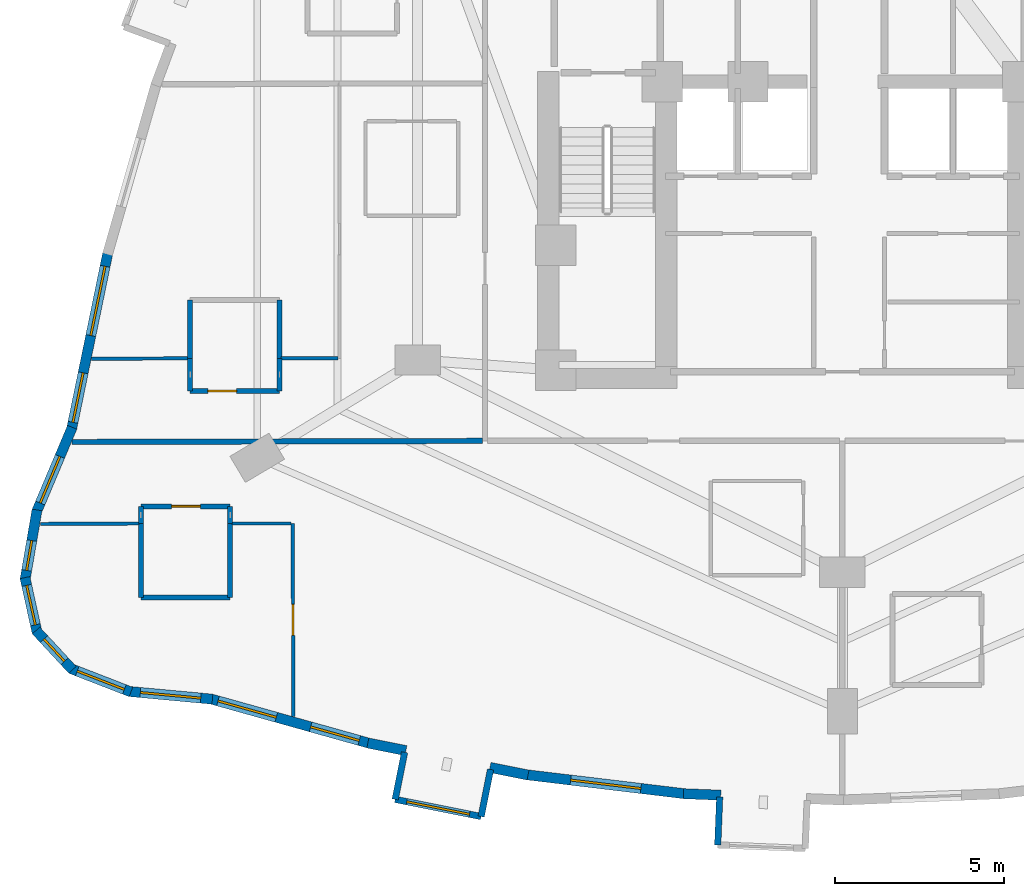
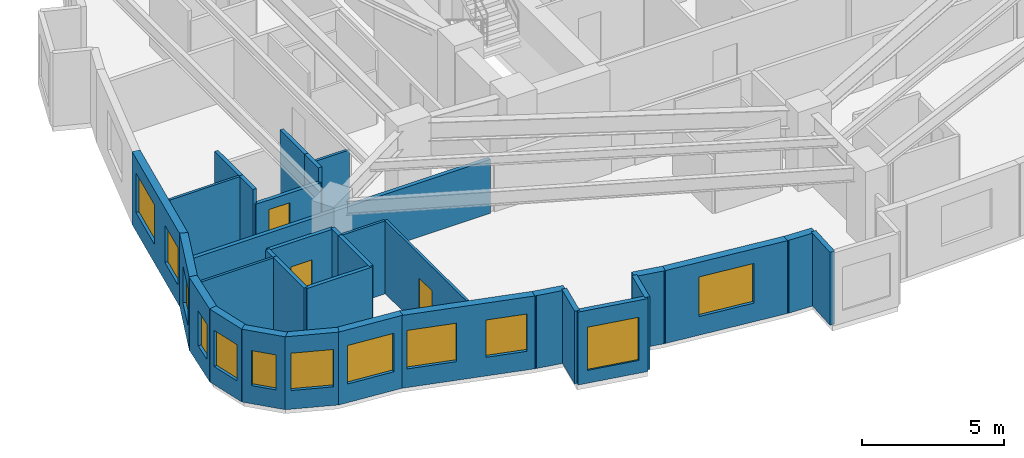
# One storey, part 6 of 13: 33 walls, 12 windows, 3 doors, 15 openings.
"""IFC4 building model written with IfcOpenShell, lengths in metres."""

from ifc_helpers import new_model, si_unit, direction, frame, frame_2d, origin, place, context, subcontext, project, spatial, rectangle, extrude, material, layer, layer_set, type_object, element, fill, save


model = new_model("IFC4")

# Units and contexts
model_context = context("Model", 3, precision=1e-05, world=origin(), true_north=direction((0.0, 1.0)))
body_context = subcontext(model_context, "Body", "Model", "MODEL_VIEW")
ifc_project = project(units=[si_unit("LENGTHUNIT", "METRE"), si_unit("AREAUNIT", "SQUARE_METRE"), si_unit("VOLUMEUNIT", "CUBIC_METRE"), si_unit("PLANEANGLEUNIT", "RADIAN"), si_unit("MASSUNIT", "GRAM", prefix="KILO")], contexts=[model_context])

# Site, building, storey
site_placement = place(None, origin())
site = spatial("IfcSite", under=ifc_project, at=site_placement, CompositionType="ELEMENT")
building_placement = place(site_placement, origin())
building = spatial("IfcBuilding", under=site, at=building_placement, Name="Miruveldt Soraemaru", CompositionType="ELEMENT")
storey_placement = place(building_placement, frame((0.0, 0.0, 73.39990234375)))
storey = spatial("IfcBuildingStorey", under=building, at=storey_placement, Name="L20", CompositionType="ELEMENT", Elevation=73.39990234375)

# Walls
ifc_material_1 = material(Name="White powder-coated aluminium EN AW-6060 T6", Category="aluminium")
ifc_layer_1 = layer(ifc_material_1, 0.18994140625, Name="White powder-coated aluminium EN AW-6060 T6", Category="aluminium")
ifc_layer_set_1 = layer_set([ifc_layer_1], Name="White powder-coated aluminium EN AW-6060 T6")
wall_type_1 = type_object("IfcWallType", Name="WALL-BAY-ALU190", PredefinedType="SOLIDWALL", material=ifc_layer_set_1)
for number, where, z_axis, x_axis, name in (
    (1, (31.0146484375, 24.165771484375, 0.0), (0.0, 0.0, 1.0), (-0.196149079112, -0.980574086321, 0.0), "L20 Bay Window Side Cheek 3L"),
    (2, (33.28466796875, 22.25830078125, 0.0), (0.0, 0.0, 1.0), (0.196149079112, 0.980574086321, 0.0), "L20 Bay Window Side Cheek 3R"),
):
    element("IfcWall", number, at=place(storey_placement, frame(where, z_axis=z_axis, x_axis=x_axis)), inside=storey, type_object=wall_type_1, Name=name, PredefinedType="SOLIDWALL", context=body_context, shape_type="SweptSolid", body=[
        extrude(rectangle(XDim=1.425048828125, YDim=0.18994140625, at=frame_2d((0.71240234375, 0.0))), origin(), (0.0, 0.0, 1.0), 3.125),
    ])

# Wall, opening, window
wall_1_placement = place(storey_placement, frame((30.735107421875, 22.768310546875, 0.0), z_axis=(0.0, 0.0, 1.0), x_axis=(0.980573452128, -0.196152249497, 0.0)))
wall_1 = element("IfcWall", 3, at=wall_1_placement, inside=storey, type_object=wall_type_1, Name="L20 Bay Window Front Frame 3", PredefinedType="SOLIDWALL", context=body_context, shape_type="SweptSolid", body=[
    extrude(rectangle(XDim=2.60009765625, YDim=0.18994140625, at=frame_2d((1.300048828125, 0.0))), origin(), (0.0, 0.0, 1.0), 3.125),
])
opening_1_placement = place(wall_1_placement, frame((0.35009765625, 0.0, 0.550048828125)))
opening_1 = element("IfcOpeningElement", 4, at=opening_1_placement, cuts=wall_1, Name="Opening WN-6", PredefinedType="OPENING", context=body_context, shape_type="SweptSolid", body=[
    extrude(rectangle(XDim=1.89990234375, YDim=1.85009765625, at=frame_2d((0.949951171875, 0.925048828125))), frame((0.0, 0.10498046875, 0.0), z_axis=(0.0, -1.0, 0.0), x_axis=(1.0, 0.0, 0.0)), (0.0, 0.0, 1.0), 0.2099609375),
])
ifc_material_2 = material(Name="Triple low-e insulated glazing", Category="glass")
window_type_1 = type_object("IfcWindowType", Name="WIN-BAYW-1900x1850", PartitioningType="SINGLE_PANEL", PredefinedType="WINDOW", material=ifc_material_2)
window_1_placement = place(opening_1_placement, origin())
window_1 = element("IfcWindow", 5, at=window_1_placement, inside=storey, type_object=window_type_1, Name="L20 Projecting Bay Window 3", OverallHeight=1.85009765625, OverallWidth=1.89990234375, PartitioningType="SINGLE_PANEL", PredefinedType="WINDOW", context=body_context, shape_type="SweptSolid", body=[
    extrude(rectangle(XDim=1.89990234375, YDim=1.85009765625, at=frame_2d((0.949951171875, 0.925048828125))), frame((0.0, 0.030029296875, 0.0), z_axis=(0.0, -1.0, 0.0), x_axis=(1.0, 0.0, 0.0)), (0.0, 0.0, 1.0), 0.06005859375),
])
fill(opening_1, window_1)

# Wall
wall_2_placement = place(storey_placement, frame((40.35888671875, 22.83837890625, 0.0), z_axis=(0.0, 0.0, 1.0), x_axis=(-0.039920142234, -0.999202873417, 0.0)))
element("IfcWall", 6, at=wall_2_placement, inside=storey, type_object=wall_type_1, Name="L20 Bay Window Side Cheek 4L", PredefinedType="SOLIDWALL", context=body_context, shape_type="SweptSolid", body=[
    extrude(rectangle(XDim=1.425048828125, YDim=0.18994140625, at=frame_2d((0.71240234375, 0.0))), origin(), (0.0, 0.0, 1.0), 3.125),
])

# Wall, openings, windows
ifc_material_3 = material(Name="Precast concrete C45/55 (45 MPa)", Category="concrete")
ifc_layer_2 = layer(ifc_material_3, 0.300048828125, Name="Precast concrete C45/55 (45 MPa)", Category="concrete")
ifc_layer_set_2 = layer_set([ifc_layer_2], Name="Precast concrete C45/55 (45 MPa)")
wall_type_2 = type_object("IfcWallType", Name="WALL-EXT-PC300", PredefinedType="SOLIDWALL", material=ifc_layer_set_2)
wall_3_placement = place(storey_placement, frame((22.2177734375, 39.000244140625, 0.0), z_axis=(0.0, 0.0, 1.0), x_axis=(-0.201547797841, -0.979478680312, 0.0)))
wall_3 = element("IfcWall", 7, at=wall_3_placement, inside=storey, type_object=wall_type_2, Name="L20 Precast Concrete Facade Wall 14", PredefinedType="SOLIDWALL", context=body_context, shape_type="SweptSolid", body=[
    extrude(rectangle(XDim=5.37353515625, YDim=0.300048828125, at=frame_2d((2.686767578125, 0.0))), origin(), (0.0, 0.0, 1.0), 3.125),
])
opening_2_placement = place(wall_3_placement, frame((0.429931640625, 0.0, 0.800048828125)))
opening_2 = element("IfcOpeningElement", 8, at=opening_2_placement, cuts=wall_3, Name="Opening WN-1", PredefinedType="OPENING", context=body_context, shape_type="SweptSolid", body=[
    extrude(rectangle(XDim=2.10009765625, YDim=1.699951171875, at=frame_2d((1.050048828125, 0.85009765625))), frame((0.0, 0.16015625, 0.0), z_axis=(0.0, -1.0, 0.0), x_axis=(1.0, 0.0, 0.0)), (0.0, 0.0, 1.0), 0.320068359375),
])
opening_3_placement = place(wall_3_placement, frame((3.656005859375, 0.0, 0.800048828125)))
opening_3 = element("IfcOpeningElement", 9, at=opening_3_placement, cuts=wall_3, Name="Opening WN-3", PredefinedType="OPENING", context=body_context, shape_type="SweptSolid", body=[
    extrude(rectangle(XDim=1.5, YDim=1.60009765625, at=frame_2d((0.75, 0.800048828125))), frame((0.0, 0.16015625, 0.0), z_axis=(0.0, -1.0, 0.0), x_axis=(1.0, 0.0, 0.0)), (0.0, 0.0, 1.0), 0.320068359375),
])
window_type_2 = type_object("IfcWindowType", Name="WIN-PUNCH-1500x1600", PartitioningType="SINGLE_PANEL", PredefinedType="WINDOW", material=ifc_material_2)
window_2_placement = place(opening_3_placement, origin())
window_2 = element("IfcWindow", 10, at=window_2_placement, inside=storey, type_object=window_type_2, Name="L20 Punched Triple-Glazed Window 14.2", OverallHeight=1.60009765625, OverallWidth=1.5, PartitioningType="SINGLE_PANEL", PredefinedType="WINDOW", context=body_context, shape_type="SweptSolid", body=[
    extrude(rectangle(XDim=1.5, YDim=1.60009765625, at=frame_2d((0.75, 0.800048828125))), frame((0.0, 0.030029296875, 0.0), z_axis=(0.0, -1.0, 0.0), x_axis=(1.0, 0.0, 0.0)), (0.0, 0.0, 1.0), 0.06005859375),
])
fill(opening_3, window_2)
window_type_3 = type_object("IfcWindowType", Name="WIN-PUNCH-2100x1700", PartitioningType="SINGLE_PANEL", PredefinedType="WINDOW", material=ifc_material_2)
window_3_placement = place(opening_2_placement, origin())
window_3 = element("IfcWindow", 11, at=window_3_placement, inside=storey, type_object=window_type_3, Name="L20 Punched Triple-Glazed Window 14.1", OverallHeight=1.699951171875, OverallWidth=2.10009765625, PartitioningType="SINGLE_PANEL", PredefinedType="WINDOW", context=body_context, shape_type="SweptSolid", body=[
    extrude(rectangle(XDim=2.10009765625, YDim=1.699951171875, at=frame_2d((1.050048828125, 0.85009765625))), frame((0.0, 0.030029296875, 0.0), z_axis=(0.0, -1.0, 0.0), x_axis=(1.0, 0.0, 0.0)), (0.0, 0.0, 1.0), 0.06005859375),
])
fill(opening_2, window_3)

# Wall, opening, window
wall_4_placement = place(storey_placement, frame((21.155517578125, 33.8037109375, 0.0), z_axis=(0.0, 0.0, 1.0), x_axis=(-0.388672061396, -0.921376160257, 0.0)))
wall_4 = element("IfcWall", 12, at=wall_4_placement, inside=storey, type_object=wall_type_2, Name="L20 Precast Concrete Facade Wall 15", PredefinedType="SOLIDWALL", context=body_context, shape_type="SweptSolid", body=[
    extrude(rectangle(XDim=2.732421875, YDim=0.300048828125, at=frame_2d((1.3662109375, 0.0))), origin(), (0.0, 0.0, 1.0), 3.125),
])
opening_4_placement = place(wall_4_placement, frame((0.93798828125, 0.0, 0.800048828125)))
opening_4 = element("IfcOpeningElement", 13, at=opening_4_placement, cuts=wall_4, Name="Opening WN-3", PredefinedType="OPENING", context=body_context, shape_type="SweptSolid", body=[
    extrude(rectangle(XDim=1.5, YDim=1.60009765625, at=frame_2d((0.75, 0.800048828125))), frame((0.0, 0.16015625, 0.0), z_axis=(0.0, -1.0, 0.0), x_axis=(1.0, 0.0, 0.0)), (0.0, 0.0, 1.0), 0.320068359375),
])
window_4_placement = place(opening_4_placement, origin())
window_4 = element("IfcWindow", 14, at=window_4_placement, inside=storey, type_object=window_type_2, Name="L20 Punched Triple-Glazed Window 15.1", OverallHeight=1.60009765625, OverallWidth=1.5, PartitioningType="SINGLE_PANEL", PredefinedType="WINDOW", context=body_context, shape_type="SweptSolid", body=[
    extrude(rectangle(XDim=1.5, YDim=1.60009765625, at=frame_2d((0.75, 0.800048828125))), frame((0.0, 0.030029296875, 0.0), z_axis=(0.0, -1.0, 0.0), x_axis=(1.0, 0.0, 0.0)), (0.0, 0.0, 1.0), 0.06005859375),
])
fill(opening_4, window_4)

wall_5_placement = place(storey_placement, frame((20.113037109375, 31.352783203125, 0.0), z_axis=(0.0, 0.0, 1.0), x_axis=(-0.169320859901, -0.98556098056, 0.0)))
wall_5 = element("IfcWall", 15, at=wall_5_placement, inside=storey, type_object=wall_type_2, Name="L20 Precast Concrete Facade Wall 16", PredefinedType="SOLIDWALL", context=body_context, shape_type="SweptSolid", body=[
    extrude(rectangle(XDim=2.106689453125, YDim=0.300048828125, at=frame_2d((1.05322265625, 0.0))), origin(), (0.0, 0.0, 1.0), 3.125),
])
opening_5_placement = place(wall_5_placement, frame((0.9208984375, 0.0, 0.780029296875)))
opening_5 = element("IfcOpeningElement", 16, at=opening_5_placement, cuts=wall_5, Name="Opening WN-7", PredefinedType="OPENING", context=body_context, shape_type="SweptSolid", body=[
    extrude(rectangle(XDim=0.89990234375, YDim=1.5, at=frame_2d((0.449951171875, 0.75))), frame((0.0, 0.16015625, 0.0), z_axis=(0.0, -1.0, 0.0), x_axis=(1.0, 0.0, 0.0)), (0.0, 0.0, 1.0), 0.320068359375),
])
window_type_4 = type_object("IfcWindowType", Name="WIN-PUNCH-900x1500", PartitioningType="SINGLE_PANEL", PredefinedType="WINDOW", material=ifc_material_2)
window_5_placement = place(opening_5_placement, origin())
window_5 = element("IfcWindow", 17, at=window_5_placement, inside=storey, type_object=window_type_4, Name="L20 Punched Triple-Glazed Window 16.1", OverallHeight=1.5, OverallWidth=0.89990234375, PartitioningType="SINGLE_PANEL", PredefinedType="WINDOW", context=body_context, shape_type="SweptSolid", body=[
    extrude(rectangle(XDim=0.89990234375, YDim=1.5, at=frame_2d((0.449951171875, 0.75))), frame((0.0, 0.030029296875, 0.0), z_axis=(0.0, -1.0, 0.0), x_axis=(1.0, 0.0, 0.0)), (0.0, 0.0, 1.0), 0.06005859375),
])
fill(opening_5, window_5)

wall_6_placement = place(storey_placement, frame((19.754638671875, 29.345458984375, 0.0), z_axis=(0.0, 0.0, 1.0), x_axis=(0.215768638569, -0.976444516913, 0.0)))
wall_6 = element("IfcWall", 18, at=wall_6_placement, inside=storey, type_object=wall_type_2, Name="L20 Precast Concrete Facade Wall 17", PredefinedType="SOLIDWALL", context=body_context, shape_type="SweptSolid", body=[
    extrude(rectangle(XDim=1.6689453125, YDim=0.300048828125, at=frame_2d((0.83447265625, 0.0))), origin(), (0.0, 0.0, 1.0), 3.125),
])
opening_6_placement = place(wall_6_placement, frame((0.235107421875, 0.0, 0.780029296875)))
opening_6 = element("IfcOpeningElement", 19, at=opening_6_placement, cuts=wall_6, Name="Opening WN-4", PredefinedType="OPENING", context=body_context, shape_type="SweptSolid", body=[
    extrude(rectangle(XDim=1.199951171875, YDim=1.550048828125, at=frame_2d((0.60009765625, 0.77490234375))), frame((0.0, 0.16015625, 0.0), z_axis=(0.0, -1.0, 0.0), x_axis=(1.0, 0.0, 0.0)), (0.0, 0.0, 1.0), 0.320068359375),
])
window_type_5 = type_object("IfcWindowType", Name="WIN-PUNCH-1200x1550", PartitioningType="SINGLE_PANEL", PredefinedType="WINDOW", material=ifc_material_2)
window_6_placement = place(opening_6_placement, origin())
window_6 = element("IfcWindow", 20, at=window_6_placement, inside=storey, type_object=window_type_5, Name="L20 Punched Triple-Glazed Window 17.1", OverallHeight=1.550048828125, OverallWidth=1.199951171875, PartitioningType="SINGLE_PANEL", PredefinedType="WINDOW", context=body_context, shape_type="SweptSolid", body=[
    extrude(rectangle(XDim=1.199951171875, YDim=1.550048828125, at=frame_2d((0.60009765625, 0.77490234375))), frame((0.0, 0.030029296875, 0.0), z_axis=(0.0, -1.0, 0.0), x_axis=(1.0, 0.0, 0.0)), (0.0, 0.0, 1.0), 0.06005859375),
])
fill(opening_6, window_6)

wall_7_placement = place(storey_placement, frame((20.083251953125, 27.77587890625, 0.0), z_axis=(0.0, 0.0, 1.0), x_axis=(0.680145025321, -0.733077584251, 0.0)))
wall_7 = element("IfcWall", 21, at=wall_7_placement, inside=storey, type_object=wall_type_2, Name="L20 Precast Concrete Facade Wall 18", PredefinedType="SOLIDWALL", context=body_context, shape_type="SweptSolid", body=[
    extrude(rectangle(XDim=1.59130859375, YDim=0.300048828125, at=frame_2d((0.795654296875, 0.0))), origin(), (0.0, 0.0, 1.0), 3.125),
])
opening_7_placement = place(wall_7_placement, frame((0.344970703125, 0.0, 0.780029296875)))
opening_7 = element("IfcOpeningElement", 22, at=opening_7_placement, cuts=wall_7, Name="Opening WN-7", PredefinedType="OPENING", context=body_context, shape_type="SweptSolid", body=[
    extrude(rectangle(XDim=0.89990234375, YDim=1.5, at=frame_2d((0.449951171875, 0.75))), frame((0.0, 0.16015625, 0.0), z_axis=(0.0, -1.0, 0.0), x_axis=(1.0, 0.0, 0.0)), (0.0, 0.0, 1.0), 0.320068359375),
])
window_7_placement = place(opening_7_placement, origin())
window_7 = element("IfcWindow", 23, at=window_7_placement, inside=storey, type_object=window_type_4, Name="L20 Punched Triple-Glazed Window 18.1", OverallHeight=1.5, OverallWidth=0.89990234375, PartitioningType="SINGLE_PANEL", PredefinedType="WINDOW", context=body_context, shape_type="SweptSolid", body=[
    extrude(rectangle(XDim=0.89990234375, YDim=1.5, at=frame_2d((0.449951171875, 0.75))), frame((0.0, 0.030029296875, 0.0), z_axis=(0.0, -1.0, 0.0), x_axis=(1.0, 0.0, 0.0)), (0.0, 0.0, 1.0), 0.06005859375),
])
fill(opening_7, window_7)

wall_8_placement = place(storey_placement, frame((21.109130859375, 26.647705078125, 0.0), z_axis=(0.0, 0.0, 1.0), x_axis=(0.93228604446, -0.361721897741, 0.0)))
wall_8 = element("IfcWall", 24, at=wall_8_placement, inside=storey, type_object=wall_type_2, Name="L20 Precast Concrete Facade Wall 19", PredefinedType="SOLIDWALL", context=body_context, shape_type="SweptSolid", body=[
    extrude(rectangle(XDim=1.91943359375, YDim=0.300048828125, at=frame_2d((0.959716796875, 0.0))), origin(), (0.0, 0.0, 1.0), 3.125),
])
opening_8_placement = place(wall_8_placement, frame((0.2099609375, 0.0, 0.800048828125)))
opening_8 = element("IfcOpeningElement", 25, at=opening_8_placement, cuts=wall_8, Name="Opening WN-3", PredefinedType="OPENING", context=body_context, shape_type="SweptSolid", body=[
    extrude(rectangle(XDim=1.5, YDim=1.60009765625, at=frame_2d((0.75, 0.800048828125))), frame((0.0, 0.16015625, 0.0), z_axis=(0.0, -1.0, 0.0), x_axis=(1.0, 0.0, 0.0)), (0.0, 0.0, 1.0), 0.320068359375),
])
window_8_placement = place(opening_8_placement, origin())
window_8 = element("IfcWindow", 26, at=window_8_placement, inside=storey, type_object=window_type_2, Name="L20 Punched Triple-Glazed Window 19.1", OverallHeight=1.60009765625, OverallWidth=1.5, PartitioningType="SINGLE_PANEL", PredefinedType="WINDOW", context=body_context, shape_type="SweptSolid", body=[
    extrude(rectangle(XDim=1.5, YDim=1.60009765625, at=frame_2d((0.75, 0.800048828125))), frame((0.0, 0.030029296875, 0.0), z_axis=(0.0, -1.0, 0.0), x_axis=(1.0, 0.0, 0.0)), (0.0, 0.0, 1.0), 0.06005859375),
])
fill(opening_8, window_8)

wall_9_placement = place(storey_placement, frame((22.831298828125, 25.96923828125, 0.0), z_axis=(0.0, 0.0, 1.0), x_axis=(0.995758957766, -0.09200053276, 0.0)))
wall_9 = element("IfcWall", 27, at=wall_9_placement, inside=storey, type_object=wall_type_2, Name="L20 Precast Concrete Facade Wall 20", PredefinedType="SOLIDWALL", context=body_context, shape_type="SweptSolid", body=[
    extrude(rectangle(XDim=2.494384765625, YDim=0.300048828125, at=frame_2d((1.2470703125, 0.0))), origin(), (0.0, 0.0, 1.0), 3.125),
])
opening_9_placement = place(wall_9_placement, frame((0.347900390625, 0.0, 0.800048828125)))
opening_9 = element("IfcOpeningElement", 28, at=opening_9_placement, cuts=wall_9, Name="Opening WN-2", PredefinedType="OPENING", context=body_context, shape_type="SweptSolid", body=[
    extrude(rectangle(XDim=1.800048828125, YDim=1.64990234375, at=frame_2d((0.89990234375, 0.824951171875))), frame((0.0, 0.16015625, 0.0), z_axis=(0.0, -1.0, 0.0), x_axis=(1.0, 0.0, 0.0)), (0.0, 0.0, 1.0), 0.320068359375),
])
window_type_6 = type_object("IfcWindowType", Name="WIN-PUNCH-1800x1650", PartitioningType="SINGLE_PANEL", PredefinedType="WINDOW", material=ifc_material_2)
window_9_placement = place(opening_9_placement, origin())
window_9 = element("IfcWindow", 29, at=window_9_placement, inside=storey, type_object=window_type_6, Name="L20 Punched Triple-Glazed Window 20.1", OverallHeight=1.64990234375, OverallWidth=1.800048828125, PartitioningType="SINGLE_PANEL", PredefinedType="WINDOW", context=body_context, shape_type="SweptSolid", body=[
    extrude(rectangle(XDim=1.800048828125, YDim=1.64990234375, at=frame_2d((0.89990234375, 0.824951171875))), frame((0.0, 0.030029296875, 0.0), z_axis=(0.0, -1.0, 0.0), x_axis=(1.0, 0.0, 0.0)), (0.0, 0.0, 1.0), 0.06005859375),
])
fill(opening_9, window_9)

# Wall, openings, windows
wall_10_placement = place(storey_placement, frame((25.24658203125, 25.75244140625, 0.0), z_axis=(0.0, 0.0, 1.0), x_axis=(0.962958876285, -0.269648294234, 0.0)))
wall_10 = element("IfcWall", 30, at=wall_10_placement, inside=storey, type_object=wall_type_2, Name="L20 Precast Concrete Facade Wall 21", PredefinedType="SOLIDWALL", context=body_context, shape_type="SweptSolid", body=[
    extrude(rectangle(XDim=4.929931640625, YDim=0.300048828125, at=frame_2d((2.46484375, 0.0))), origin(), (0.0, 0.0, 1.0), 3.125),
])
opening_10_placement = place(wall_10_placement, frame((0.239990234375, 0.0, 0.800048828125)))
opening_10 = element("IfcOpeningElement", 31, at=opening_10_placement, cuts=wall_10, Name="Opening WN-2", PredefinedType="OPENING", context=body_context, shape_type="SweptSolid", body=[
    extrude(rectangle(XDim=1.800048828125, YDim=1.64990234375, at=frame_2d((0.89990234375, 0.824951171875))), frame((0.0, 0.16015625, 0.0), z_axis=(0.0, -1.0, 0.0), x_axis=(1.0, 0.0, 0.0)), (0.0, 0.0, 1.0), 0.320068359375),
])
opening_11_placement = place(wall_10_placement, frame((3.094970703125, 0.0, 0.800048828125)))
opening_11 = element("IfcOpeningElement", 32, at=opening_11_placement, cuts=wall_10, Name="Opening WN-3", PredefinedType="OPENING", context=body_context, shape_type="SweptSolid", body=[
    extrude(rectangle(XDim=1.5, YDim=1.60009765625, at=frame_2d((0.75, 0.800048828125))), frame((0.0, 0.16015625, 0.0), z_axis=(0.0, -1.0, 0.0), x_axis=(1.0, 0.0, 0.0)), (0.0, 0.0, 1.0), 0.320068359375),
])
window_10_placement = place(opening_11_placement, origin())
window_10 = element("IfcWindow", 33, at=window_10_placement, inside=storey, type_object=window_type_2, Name="L20 Punched Triple-Glazed Window 21.2", OverallHeight=1.60009765625, OverallWidth=1.5, PartitioningType="SINGLE_PANEL", PredefinedType="WINDOW", context=body_context, shape_type="SweptSolid", body=[
    extrude(rectangle(XDim=1.5, YDim=1.60009765625, at=frame_2d((0.75, 0.800048828125))), frame((0.0, 0.030029296875, 0.0), z_axis=(0.0, -1.0, 0.0), x_axis=(1.0, 0.0, 0.0)), (0.0, 0.0, 1.0), 0.06005859375),
])
fill(opening_11, window_10)
window_11_placement = place(opening_10_placement, origin())
window_11 = element("IfcWindow", 34, at=window_11_placement, inside=storey, type_object=window_type_6, Name="L20 Punched Triple-Glazed Window 21.1", OverallHeight=1.64990234375, OverallWidth=1.800048828125, PartitioningType="SINGLE_PANEL", PredefinedType="WINDOW", context=body_context, shape_type="SweptSolid", body=[
    extrude(rectangle(XDim=1.800048828125, YDim=1.64990234375, at=frame_2d((0.89990234375, 0.824951171875))), frame((0.0, 0.030029296875, 0.0), z_axis=(0.0, -1.0, 0.0), x_axis=(1.0, 0.0, 0.0)), (0.0, 0.0, 1.0), 0.06005859375),
])
fill(opening_10, window_11)

# Walls
for number, where, z_axis, x_axis, name in (
    (35, (29.926025390625, 24.439453125, 0.0), (0.0, 0.0, 1.0), (0.98057251863, -0.196156916032, 0.0), "L20 Precast Pier Wall 22A"),
    (36, (33.545654296875, 23.715576171875, 0.0), (0.0, 0.0, 1.0), (0.98057251863, -0.196156916032, 0.0), "L20 Precast Pier Wall 22B"),
):
    element("IfcWall", number, at=place(storey_placement, frame(where, z_axis=z_axis, x_axis=x_axis)), inside=storey, type_object=wall_type_2, Name=name, PredefinedType="SOLIDWALL", context=body_context, shape_type="SweptSolid", body=[
        extrude(rectangle(XDim=1.1513671875, YDim=0.300048828125, at=frame_2d((0.57568359375, 0.0))), origin(), (0.0, 0.0, 1.0), 3.125),
    ])

# Wall, opening, window
wall_11_placement = place(storey_placement, frame((34.60546875, 23.500732421875, 0.0), z_axis=(0.0, 0.0, 1.0), x_axis=(0.992879736211, -0.119121070439, 0.0)))
wall_11 = element("IfcWall", 37, at=wall_11_placement, inside=storey, type_object=wall_type_2, Name="L20 Precast Concrete Facade Wall 23", PredefinedType="SOLIDWALL", context=body_context, shape_type="SweptSolid", body=[
    extrude(rectangle(XDim=4.78369140625, YDim=0.300048828125, at=frame_2d((2.391845703125, 0.0))), origin(), (0.0, 0.0, 1.0), 3.125),
])
opening_12_placement = place(wall_11_placement, frame((1.342041015625, 0.0, 0.800048828125)))
opening_12 = element("IfcOpeningElement", 38, at=opening_12_placement, cuts=wall_11, Name="Opening WN-1", PredefinedType="OPENING", context=body_context, shape_type="SweptSolid", body=[
    extrude(rectangle(XDim=2.10009765625, YDim=1.699951171875, at=frame_2d((1.050048828125, 0.85009765625))), frame((0.0, 0.16015625, 0.0), z_axis=(0.0, -1.0, 0.0), x_axis=(1.0, 0.0, 0.0)), (0.0, 0.0, 1.0), 0.320068359375),
])
window_12_placement = place(opening_12_placement, origin())
window_12 = element("IfcWindow", 39, at=window_12_placement, inside=storey, type_object=window_type_3, Name="L20 Punched Triple-Glazed Window 23.1", OverallHeight=1.699951171875, OverallWidth=2.10009765625, PartitioningType="SINGLE_PANEL", PredefinedType="WINDOW", context=body_context, shape_type="SweptSolid", body=[
    extrude(rectangle(XDim=2.10009765625, YDim=1.699951171875, at=frame_2d((1.050048828125, 0.85009765625))), frame((0.0, 0.030029296875, 0.0), z_axis=(0.0, -1.0, 0.0), x_axis=(1.0, 0.0, 0.0)), (0.0, 0.0, 1.0), 0.06005859375),
])
fill(opening_12, window_12)

# Wall
wall_12_placement = place(storey_placement, frame((39.28515625, 22.936279296875, 0.0), z_axis=(0.0, 0.0, 1.0), x_axis=(0.999202719529, -0.039923993871, 0.0)))
element("IfcWall", 40, at=wall_12_placement, inside=storey, type_object=wall_type_2, Name="L20 Precast Pier Wall 24A", PredefinedType="SOLIDWALL", context=body_context, shape_type="SweptSolid", body=[
    extrude(rectangle(XDim=1.10693359375, YDim=0.300048828125, at=frame_2d((0.553466796875, 0.0))), origin(), (0.0, 0.0, 1.0), 3.125),
])

# Wall, opening, door
ifc_material_4 = material(Name="Gypsum plasterboard lining", Category="gypsum")
ifc_layer_3 = layer(ifc_material_4, 0.10009765625, Name="Gypsum plasterboard lining", Category="gypsum")
ifc_layer_set_3 = layer_set([ifc_layer_3], Name="Gypsum plasterboard lining")
wall_type_3 = type_object("IfcWallType", Name="WALL-INT-P100", PredefinedType="PARTITIONING", material=ifc_layer_set_3)
wall_13_placement = place(storey_placement, frame((27.694091796875, 30.949951171875, 0.0), z_axis=(0.0, 0.0, 1.0), x_axis=(0.004013459841, -0.999991946038, 0.0)))
wall_13 = element("IfcWall", 41, at=wall_13_placement, inside=storey, type_object=wall_type_3, Name="L20 Partition Wall 91", PredefinedType="PARTITIONING", context=body_context, shape_type="SweptSolid", body=[
    extrude(rectangle(XDim=5.718017578125, YDim=0.10009765625, at=frame_2d((2.85888671875, 0.0))), origin(), (0.0, 0.0, 1.0), 3.125),
])
opening_13_placement = place(wall_13_placement, frame((2.39892578125, 0.0, 0.0)))
opening_13 = element("IfcOpeningElement", 42, at=opening_13_placement, cuts=wall_13, Name="Opening D3A", PredefinedType="OPENING", context=body_context, shape_type="SweptSolid", body=[
    extrude(rectangle(XDim=0.919921875, YDim=2.10009765625, at=frame_2d((0.4599609375, 1.050048828125))), frame((0.0, 0.06005859375, 0.0), z_axis=(0.0, -1.0, 0.0), x_axis=(1.0, 0.0, 0.0)), (0.0, 0.0, 1.0), 0.1201171875),
])
ifc_material_5 = material(Name="Anodised aluminium EN AW-6063 T6", Category="aluminium")
door_type_1 = type_object("IfcDoorType", Name="DOOR-INT-920", OperationType="NOTDEFINED", PredefinedType="DOOR", material=ifc_material_5)
door_1_placement = place(opening_13_placement, origin())
door_1 = element("IfcDoor", 43, at=door_1_placement, inside=storey, type_object=door_type_1, Name="L20 Unit 2007 BD1 Door", OperationType="SINGLE_SWING_LEFT", OverallHeight=2.10009765625, OverallWidth=0.919921875, PredefinedType="DOOR", context=body_context, shape_type="SweptSolid", body=[
    extrude(rectangle(XDim=0.919921875, YDim=2.10009765625, at=frame_2d((0.4599609375, 1.050048828125))), frame((0.0, 0.02490234375, 0.0), z_axis=(0.0, -1.0, 0.0), x_axis=(1.0, 0.0, 0.0)), (0.0, 0.0, 1.0), 0.050048828125),
])
fill(opening_13, door_1)

# Walls
wall_14_placement = place(storey_placement, frame((20.208984375, 30.93603515625, 0.0), z_axis=(0.0, 0.0, 1.0), x_axis=(0.999988745217, 0.004744411393, 0.0)))
element("IfcWall", 44, at=wall_14_placement, inside=storey, type_object=wall_type_3, Name="L20 Partition Wall 89", PredefinedType="PARTITIONING", context=body_context, shape_type="SweptSolid", body=[
    extrude(rectangle(XDim=2.93310546875, YDim=0.10009765625, at=frame_2d((1.466552734375, 0.0))), origin(), (0.0, 0.0, 1.0), 3.125),
])
wall_15_placement = place(storey_placement, frame((24.60498046875, 35.85009765625, 0.0), z_axis=(0.0, 0.0, 1.0), x_axis=(-0.999982285051, -0.005952275506, 0.0)))
element("IfcWall", 45, at=wall_15_placement, inside=storey, type_object=wall_type_3, Name="L20 Partition Wall 50", PredefinedType="PARTITIONING", context=body_context, shape_type="SweptSolid", body=[
    extrude(rectangle(XDim=2.87109375, YDim=0.10009765625, at=frame_2d((1.435546875, 0.0))), origin(), (0.0, 0.0, 1.0), 3.125),
])
wall_16_placement = place(storey_placement, frame((25.89208984375, 30.949951171875, 0.0), z_axis=(0.0, 0.0, 1.0), x_axis=(1.0, 0.0, 0.0)))
element("IfcWall", 46, at=wall_16_placement, inside=storey, type_object=wall_type_3, Name="L20 Partition Wall 90", PredefinedType="PARTITIONING", context=body_context, shape_type="SweptSolid", body=[
    extrude(rectangle(XDim=1.751953125, YDim=0.10009765625, at=frame_2d((0.8759765625, 0.0))), origin(), (0.0, 0.0, 1.0), 3.125),
])
wall_17_placement = place(storey_placement, frame((29.034912109375, 35.85009765625, 0.0), z_axis=(0.0, 0.0, 1.0), x_axis=(-1.0, 0.0, 0.0)))
element("IfcWall", 47, at=wall_17_placement, inside=storey, type_object=wall_type_3, Name="L20 Partition Wall 49", PredefinedType="PARTITIONING", context=body_context, shape_type="SweptSolid", body=[
    extrude(rectangle(XDim=1.679931640625, YDim=0.10009765625, at=frame_2d((0.83984375, 0.0))), origin(), (0.0, 0.0, 1.0), 2.713134765625),
])

# Wall, opening, door
ifc_layer_4 = layer(ifc_material_4, 0.14990234375, Name="Gypsum plasterboard lining", Category="gypsum")
ifc_layer_set_4 = layer_set([ifc_layer_4], Name="Gypsum plasterboard lining")
wall_type_4 = type_object("IfcWallType", Name="WALL-INT-PLUMB", PredefinedType="PLUMBINGWALL", material=ifc_layer_set_4)
wall_18_placement = place(storey_placement, frame((24.655029296875, 34.8798828125, 0.0), z_axis=(0.0, 0.0, 1.0), x_axis=(1.0, 0.0, 0.0)))
wall_18 = element("IfcWall", 48, at=wall_18_placement, inside=storey, type_object=wall_type_4, Name="L20 Partition Wall 43", PredefinedType="PLUMBINGWALL", context=body_context, shape_type="SweptSolid", body=[
    extrude(rectangle(XDim=2.64990234375, YDim=0.14990234375, at=frame_2d((1.324951171875, 0.0))), origin(), (0.0, 0.0, 1.0), 2.51318359375),
])
opening_14_placement = place(wall_18_placement, frame((0.52490234375, 0.0, 0.0)))
opening_14 = element("IfcOpeningElement", 49, at=opening_14_placement, cuts=wall_18, Name="Opening FD3", PredefinedType="OPENING", context=body_context, shape_type="SweptSolid", body=[
    extrude(rectangle(XDim=0.85009765625, YDim=2.10009765625, at=frame_2d((0.425048828125, 1.050048828125))), frame((0.0, 0.0849609375, 0.0), z_axis=(0.0, -1.0, 0.0), x_axis=(1.0, 0.0, 0.0)), (0.0, 0.0, 1.0), 0.169921875),
])
door_type_2 = type_object("IfcDoorType", Name="DOOR-FD3-850", OperationType="NOTDEFINED", PredefinedType="DOOR", material=ifc_material_5)
door_2_placement = place(opening_14_placement, origin())
door_2 = element("IfcDoor", 50, at=door_2_placement, inside=storey, type_object=door_type_2, Name="L20 Unit 2003 BTH Door", OperationType="SINGLE_SWING_RIGHT", OverallHeight=2.10009765625, OverallWidth=0.85009765625, PredefinedType="DOOR", context=body_context, shape_type="SweptSolid", body=[
    extrude(rectangle(XDim=0.85009765625, YDim=2.10009765625, at=frame_2d((0.425048828125, 1.050048828125))), frame((0.0, 0.02490234375, 0.0), z_axis=(0.0, -1.0, 0.0), x_axis=(1.0, 0.0, 0.0)), (0.0, 0.0, 1.0), 0.050048828125),
])
fill(opening_14, door_2)

wall_19_placement = place(storey_placement, frame((25.842041015625, 31.4599609375, 0.0), z_axis=(0.0, 0.0, 1.0), x_axis=(-1.0, 0.0, 0.0)))
wall_19 = element("IfcWall", 51, at=wall_19_placement, inside=storey, type_object=wall_type_4, Name="L20 Partition Wall 83", PredefinedType="PLUMBINGWALL", context=body_context, shape_type="SweptSolid", body=[
    extrude(rectangle(XDim=2.650146484375, YDim=0.14990234375, at=frame_2d((1.3251953125, 0.0))), origin(), (0.0, 0.0, 1.0), 3.125),
])
opening_15_placement = place(wall_19_placement, frame((0.885009765625, 0.0, 0.0)))
opening_15 = element("IfcOpeningElement", 52, at=opening_15_placement, cuts=wall_19, Name="Opening FD3", PredefinedType="OPENING", context=body_context, shape_type="SweptSolid", body=[
    extrude(rectangle(XDim=0.85009765625, YDim=2.10009765625, at=frame_2d((0.425048828125, 1.050048828125))), frame((0.0, 0.0849609375, 0.0), z_axis=(0.0, -1.0, 0.0), x_axis=(1.0, 0.0, 0.0)), (0.0, 0.0, 1.0), 0.169921875),
])
door_3_placement = place(opening_15_placement, origin())
door_3 = element("IfcDoor", 53, at=door_3_placement, inside=storey, type_object=door_type_2, Name="L20 Unit 2007 BTH Door", OperationType="SINGLE_SWING_LEFT", OverallHeight=2.10009765625, OverallWidth=0.85009765625, PredefinedType="DOOR", context=body_context, shape_type="SweptSolid", body=[
    extrude(rectangle(XDim=0.85009765625, YDim=2.10009765625, at=frame_2d((0.425048828125, 1.050048828125))), frame((0.0, 0.02490234375, 0.0), z_axis=(0.0, -1.0, 0.0), x_axis=(1.0, 0.0, 0.0)), (0.0, 0.0, 1.0), 0.050048828125),
])
fill(opening_15, door_3)

# Walls
wall_20_placement = place(storey_placement, frame((23.19189453125, 28.760009765625, 0.0), z_axis=(0.0, 0.0, 1.0), x_axis=(1.0, 0.0, 0.0)))
element("IfcWall", 54, at=wall_20_placement, inside=storey, type_object=wall_type_4, Name="L20 Partition Wall 94", PredefinedType="PLUMBINGWALL", context=body_context, shape_type="SweptSolid", body=[
    extrude(rectangle(XDim=2.650146484375, YDim=0.14990234375, at=frame_2d((1.3251953125, 0.0))), origin(), (0.0, 0.0, 1.0), 3.125),
])
for number, where, z_axis, x_axis, name in (
    (55, (23.19189453125, 30.949951171875, 0.0), (0.0, 0.0, 1.0), (0.0, -1.0, 0.0), "L20 Partition Wall 93"),
    (56, (25.842041015625, 28.760009765625, 0.0), (0.0, 0.0, 1.0), (0.0, 1.0, 0.0), "L20 Partition Wall 95"),
):
    element("IfcWall", number, at=place(storey_placement, frame(where, z_axis=z_axis, x_axis=x_axis)), inside=storey, type_object=wall_type_4, Name=name, PredefinedType="PLUMBINGWALL", context=body_context, shape_type="SweptSolid", body=[
        extrude(rectangle(XDim=2.18994140625, YDim=0.14990234375, at=frame_2d((1.094970703125, 0.0))), origin(), (0.0, 0.0, 1.0), 3.125),
    ])
for number, where, z_axis, x_axis, name in (
    (57, (27.304931640625, 35.85009765625, 0.0), (0.0, 0.0, 1.0), (0.0, 1.0, 0.0), "L20 Partition Wall 53"),
    (58, (24.655029296875, 37.580078125, 0.0), (0.0, 0.0, 1.0), (0.0, -1.0, 0.0), "L20 Partition Wall 55"),
):
    element("IfcWall", number, at=place(storey_placement, frame(where, z_axis=z_axis, x_axis=x_axis)), inside=storey, type_object=wall_type_4, Name=name, PredefinedType="PLUMBINGWALL", context=body_context, shape_type="SweptSolid", body=[
        extrude(rectangle(XDim=1.72998046875, YDim=0.14990234375, at=frame_2d((0.864990234375, 0.0))), origin(), (0.0, 0.0, 1.0), 3.125),
    ])
for number, where, z_axis, x_axis, name in (
    (59, (27.304931640625, 34.8798828125, 0.0), (0.0, 0.0, 1.0), (0.0, 1.0, 0.0), "L20 Partition Wall 41"),
    (60, (24.655029296875, 35.85009765625, 0.0), (0.0, 0.0, 1.0), (0.0, -1.0, 0.0), "L20 Partition Wall 42"),
):
    element("IfcWall", number, at=place(storey_placement, frame(where, z_axis=z_axis, x_axis=x_axis)), inside=storey, type_object=wall_type_4, Name=name, PredefinedType="PLUMBINGWALL", context=body_context, shape_type="SweptSolid", body=[
        extrude(rectangle(XDim=0.97021484375, YDim=0.14990234375, at=frame_2d((0.485107421875, 0.0))), origin(), (0.0, 0.0, 1.0), 3.125),
    ])
for number, where, z_axis, x_axis, name in (
    (61, (25.842041015625, 30.949951171875, 0.0), (0.0, 0.0, 1.0), (0.0, 1.0, 0.0), "L20 Partition Wall 82"),
    (62, (23.19189453125, 31.4599609375, 0.0), (0.0, 0.0, 1.0), (0.0, -1.0, 0.0), "L20 Partition Wall 84"),
):
    element("IfcWall", number, at=place(storey_placement, frame(where, z_axis=z_axis, x_axis=x_axis)), inside=storey, type_object=wall_type_4, Name=name, PredefinedType="PLUMBINGWALL", context=body_context, shape_type="SweptSolid", body=[
        extrude(rectangle(XDim=0.510009765625, YDim=0.14990234375, at=frame_2d((0.2548828125, 0.0))), origin(), (0.0, 0.0, 1.0), 3.125),
    ])
ifc_material_6 = material(Name="Concrete C40/50 (40 MPa)", Category="concrete")
ifc_layer_5 = layer(ifc_material_6, 0.159912109375, Name="Concrete C40/50 (40 MPa)", Category="concrete")
ifc_layer_set_5 = layer_set([ifc_layer_5], Name="Concrete C40/50 (40 MPa)")
wall_type_5 = type_object("IfcWallType", Name="WALL-INT-RC160", PredefinedType="SOLIDWALL", material=ifc_layer_set_5)
wall_21_placement = place(storey_placement, frame((21.14990234375, 33.366943359375, 0.0), z_axis=(0.0, 0.0, 1.0), x_axis=(0.999996332904, 0.002708168769, 0.0)))
element("IfcWall", 63, at=wall_21_placement, inside=storey, type_object=wall_type_5, Name="L20 Partition Wall 52", PredefinedType="SOLIDWALL", context=body_context, shape_type="SweptSolid", body=[
    extrude(rectangle(XDim=12.170166015625, YDim=0.159912109375, at=frame_2d((6.0849609375, 0.0))), origin(), (0.0, 0.0, 1.0), 2.31298828125),
])

save(model, "model.ifc")
